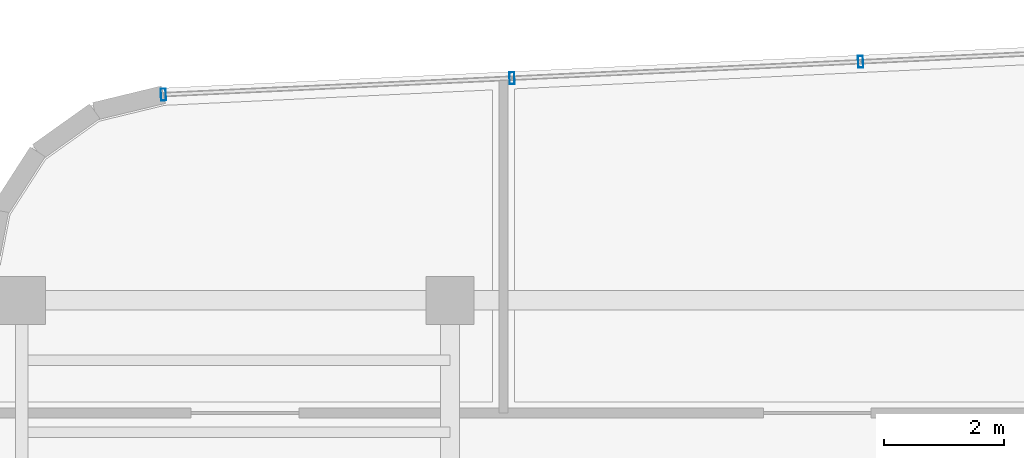
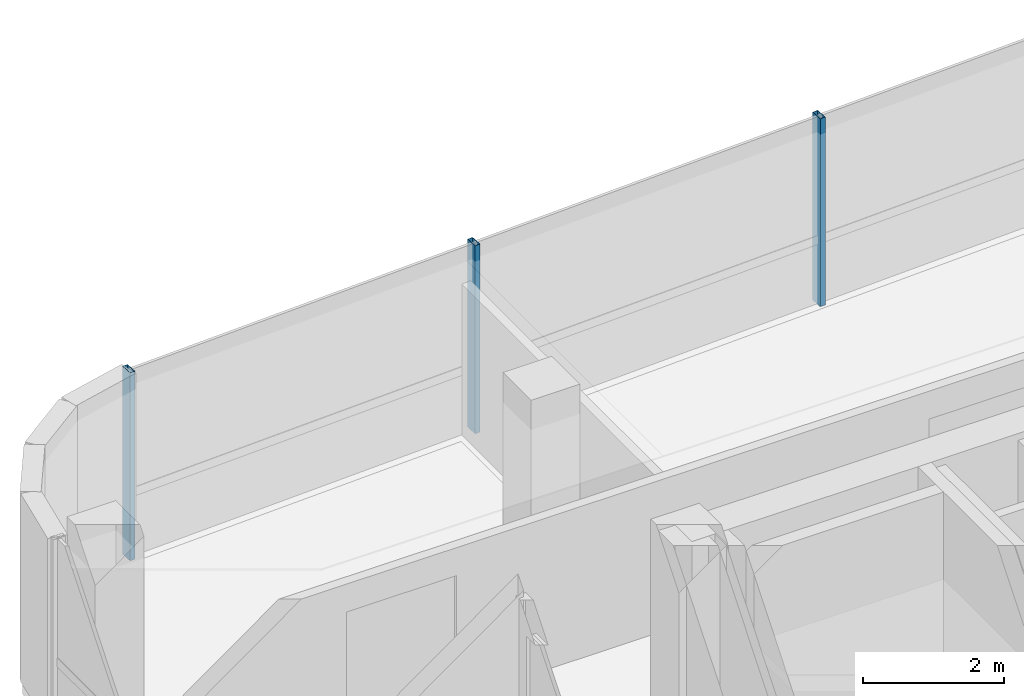
# One storey, part 10 of 18: 3 members, 1 element without a shape of its own.
"""IFC4 building model written with IfcOpenShell, lengths in metres."""

from ifc_helpers import new_model, si_unit, direction, frame, origin, origin_2d, place, context, subcontext, project, spatial, hollow_rectangle, extrude, source, transform, mapped, material, material_profile, profile_set, type_object, element, aggregate, save


model = new_model("IFC4")

# Units and contexts
model_context = context("Model", 3, precision=1e-05, world=origin(), true_north=direction((0.0, 1.0)))
body_context = subcontext(model_context, "Body", "Model", "MODEL_VIEW")
ifc_project = project(units=[si_unit("LENGTHUNIT", "METRE"), si_unit("AREAUNIT", "SQUARE_METRE"), si_unit("VOLUMEUNIT", "CUBIC_METRE"), si_unit("PLANEANGLEUNIT", "RADIAN"), si_unit("MASSUNIT", "GRAM", prefix="KILO")], contexts=[model_context])

# Site, building, storey
site_placement = place(None, origin())
site = spatial("IfcSite", under=ifc_project, at=site_placement, CompositionType="ELEMENT")
building_placement = place(site_placement, origin())
building = spatial("IfcBuilding", under=site, at=building_placement, Name="Valdorenza Pilgrim Sanctuary Tower", CompositionType="ELEMENT")
storey_placement = place(building_placement, frame((0.0, 0.0, 276.5)))
storey = spatial("IfcBuildingStorey", under=building, at=storey_placement, Name="L72", CompositionType="ELEMENT", Elevation=276.5)

# Curtain wall, members
ifc_material_1 = material(Name="Curtain-wall IGU glazing", Category="glass")
curtain_wall_type = type_object("IfcCurtainWallType", Name="CW-SYS-02", PredefinedType="NOTDEFINED", material=ifc_material_1)
curtain_wall_placement = place(storey_placement, origin())
curtain_wall = element("IfcCurtainWall", 1, at=curtain_wall_placement, inside=storey, type_object=curtain_wall_type, Name="L72 Curtain Wall CW-L72-1-6", PredefinedType="NOTDEFINED")
ifc_material_2 = material(Name="Anodised aluminium AW-6060", Category="aluminium")
ifc_material_profile = material_profile(ifc_material_2, hollow_rectangle(XDim=0.0849609375, YDim=0.199951171875, WallThickness=0.0048828125, at=origin_2d()), Name="ALU-M 200x85x5")
ifc_profile_set = profile_set([ifc_material_profile], Name="Anodised aluminium AW-6060")
member_type = type_object("IfcMemberType", Name="CW-MUL-02", PredefinedType="MULLION", material=ifc_profile_set)
shared_shape = source(origin(), body_context, "Body", "SweptSolid", [
    extrude(hollow_rectangle(XDim=0.0849609375, YDim=0.199951171875, WallThickness=0.0048828125, at=origin_2d()), origin(), (0.0, 0.0, 1.0), 3.260009765625),
])
member_1_placement = place(storey_placement, frame((-27.43505859375, 18.234375, 0.0), z_axis=(0.0, 0.0, 1.0), x_axis=(0.998890696972, 0.047089016785, 0.0)))
member_1 = element("IfcMember", 2, at=member_1_placement, type_object=member_type, Name="CW-L72-1-6 Mullion 1", PredefinedType="MULLION", context=body_context, shape_type="MappedRepresentation", body=[
    mapped(shared_shape, transform((0.0, 0.0, 0.0), x_axis=(1.0, 0.0, 0.0), y_axis=(0.0, 1.0, 0.0), z_axis=(0.0, 0.0, 1.0), scale=1.0)),
])
member_2_placement = place(storey_placement, frame((-21.615478515625, 18.5087890625, 0.0), z_axis=(0.0, 0.0, 1.0), x_axis=(0.998890696972, 0.047089016785, 0.0)))
member_2 = element("IfcMember", 3, at=member_2_placement, type_object=member_type, Name="CW-L72-1-6 Mullion 2", PredefinedType="MULLION", context=body_context, shape_type="MappedRepresentation", body=[
    mapped(shared_shape, transform((0.0, 0.0, 0.0), x_axis=(1.0, 0.0, 0.0), y_axis=(0.0, 1.0, 0.0), z_axis=(0.0, 0.0, 1.0), scale=1.0)),
])
member_3_placement = place(storey_placement, frame((-15.7958984375, 18.782958984375, 0.0), z_axis=(0.0, 0.0, 1.0), x_axis=(0.998890696972, 0.047089016785, 0.0)))
member_3 = element("IfcMember", 4, at=member_3_placement, type_object=member_type, Name="CW-L72-1-6 Mullion 3", PredefinedType="MULLION", context=body_context, shape_type="MappedRepresentation", body=[
    mapped(shared_shape, transform((0.0, 0.0, 0.0), x_axis=(1.0, 0.0, 0.0), y_axis=(0.0, 1.0, 0.0), z_axis=(0.0, 0.0, 1.0), scale=1.0)),
])
aggregate(curtain_wall, [member_1, member_2, member_3])

save(model, "model.ifc")
